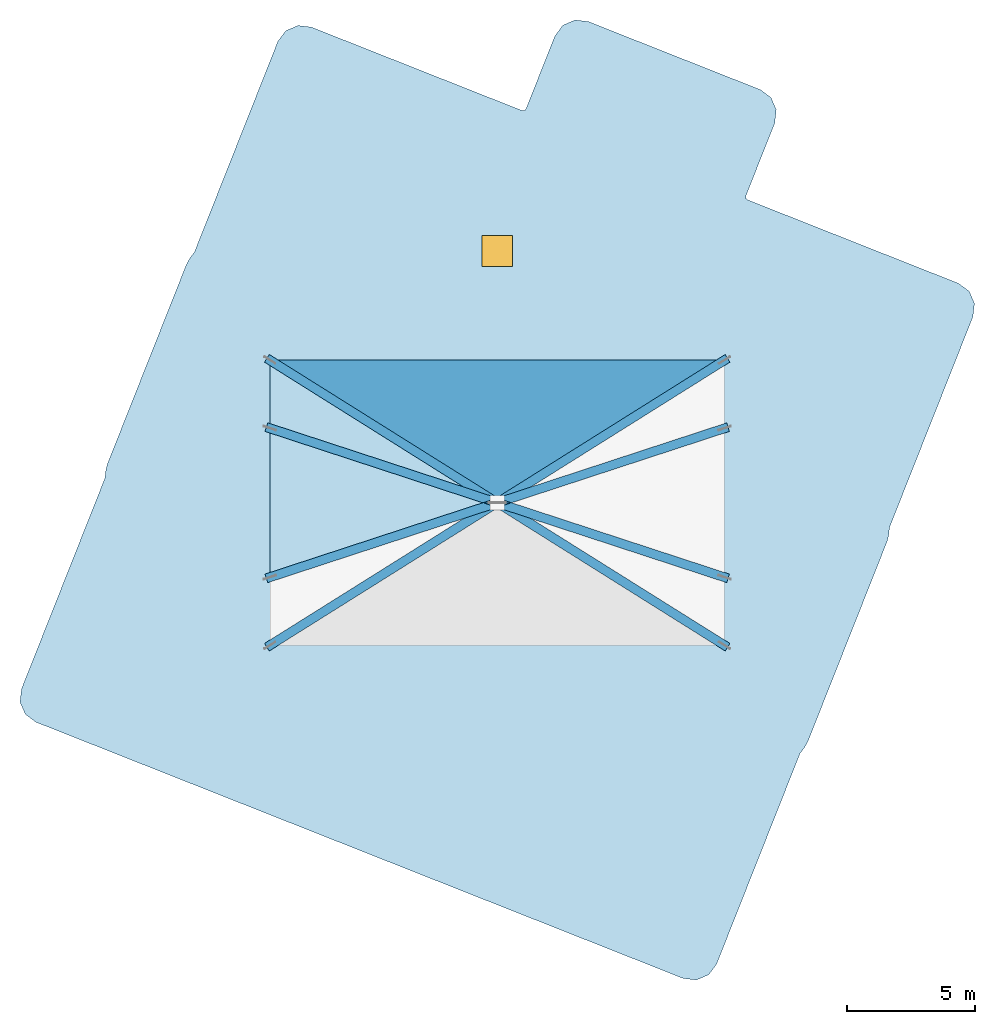
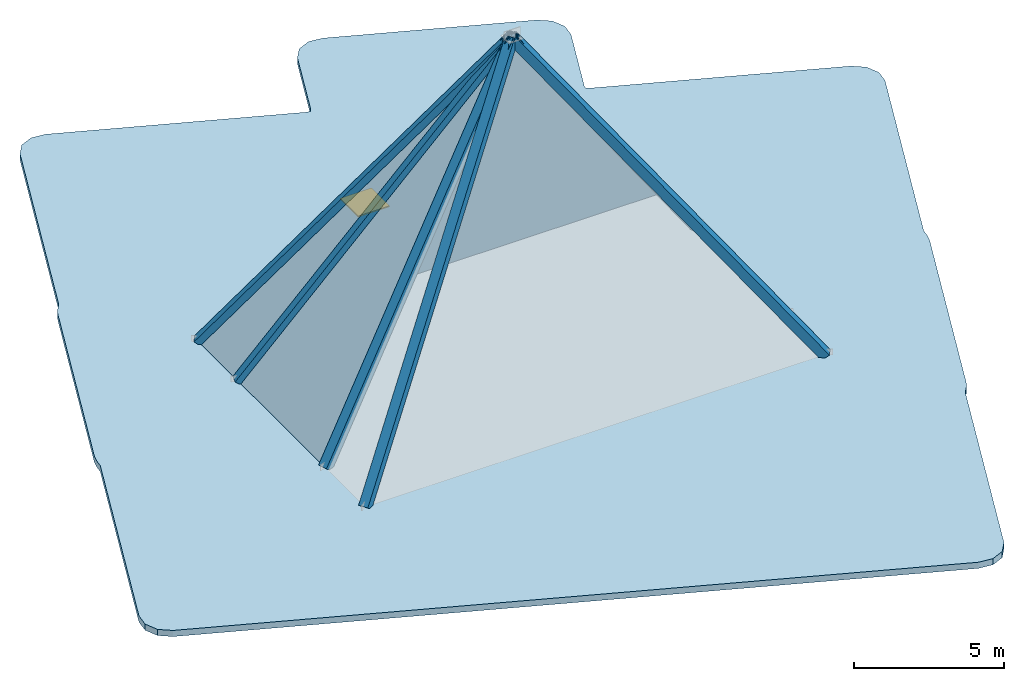
# One storey, part 1 of 2: 8 members, 4 slabs, 1 window, 1 opening.
"""IFC4 building model written with IfcOpenShell, lengths in metres."""

import ifcopenshell
import ifcopenshell.guid

model = None  # the IFC model being written
_history = None  # IfcOwnerHistory: only IFC2X3 demands one
_inside = {}  # id of a spatial element -> (the spatial element, [elements in it])
_under = {}  # id of a project, library or spatial element -> (it, [spatial elements below it])
_declared = {}  # id of a project -> (the project, [libraries it declares])
_typed = {}  # id of a type object -> (the type object, [elements of that type])
_made_of = {}  # id of a material, layer set ... -> (it, [elements and type objects made of it])


def new_model(schema):
    """Start an empty IFC model of exactly this schema.

    Asked for "IFC4X3", IfcOpenShell would pick the latest addendum, in which some entities
    have other attributes; the version numbers below select the first issue.
    IFC2X3 requires an IfcOwnerHistory on every rooted entity: one is made here for all.
    """
    global model, _history
    if schema == "IFC4X3":
        model = ifcopenshell.file(schema_version=(4, 3, 0, 0))
    else:
        model = ifcopenshell.file(schema=schema)
    _inside.clear()
    _under.clear()
    _declared.clear()
    _typed.clear()
    _made_of.clear()
    _history = None
    if model.schema == "IFC2X3":
        org = make("IfcOrganization", Name="unknown")
        user = make(
            "IfcPersonAndOrganization",
            ThePerson=make("IfcPerson", FamilyName="unknown"),
            TheOrganization=org,
        )
        app = make(
            "IfcApplication",
            ApplicationDeveloper=org,
            Version="unknown",
            ApplicationFullName="unknown",
            ApplicationIdentifier="unknown",
        )
        _history = make(
            "IfcOwnerHistory",
            OwningUser=user,
            OwningApplication=app,
            ChangeAction="ADDED",
            CreationDate=0,
        )
    return model


def make(cls, **values):
    """One entity of the class cls with the attributes given. An attribute that is None is left unset."""
    return model.create_entity(
        cls, **{name: value for name, value in values.items() if value is not None}
    )


def rooted(cls, **values):
    """An entity with a GlobalId (a new one), such as an element, a storey or a relation."""
    return make(cls, GlobalId=ifcopenshell.guid.new(), OwnerHistory=_history, **values)


def si_unit(unit_type, name, prefix=None):
    """IfcSIUnit, for example si_unit("LENGTHUNIT", "METRE", prefix="MILLI")."""
    return make("IfcSIUnit", UnitType=unit_type, Prefix=prefix, Name=name)


def assignment(units):
    """IfcUnitAssignment: the units of a project."""
    return None if units is None else make("IfcUnitAssignment", Units=units)


def point(xyz):
    """IfcCartesianPoint."""
    return None if xyz is None else make("IfcCartesianPoint", Coordinates=xyz)


def direction(xyz):
    """IfcDirection."""
    return None if xyz is None else make("IfcDirection", DirectionRatios=xyz)


def frame(location, z_axis=None, x_axis=None):
    """IfcAxis2Placement3D, a coordinate frame: its origin and axes. An axis left out is left unset."""
    return make(
        "IfcAxis2Placement3D",
        Location=point(location),
        Axis=direction(z_axis),
        RefDirection=direction(x_axis),
    )


def frame_2d(location, x_axis=None):
    """IfcAxis2Placement2D, a coordinate frame in the plane: its origin and x axis."""
    return make(
        "IfcAxis2Placement2D", Location=point(location), RefDirection=direction(x_axis)
    )


def origin():
    """The frame at (0, 0, 0) with its axes left unset."""
    return frame((0.0, 0.0, 0.0))


def origin_2d():
    """The frame at (0, 0) in the plane with its x axis left unset."""
    return frame_2d((0.0, 0.0))


def place(relative_to, where):
    """IfcLocalPlacement: puts the frame where relative to a parent placement (None: the world)."""
    return make(
        "IfcLocalPlacement", PlacementRelTo=relative_to, RelativePlacement=where
    )


def context(
    kind, dimensions, precision=None, world=None, true_north=None, identifier=None
):
    """IfcGeometricRepresentationContext, for example the 3D "Model" context."""
    return make(
        "IfcGeometricRepresentationContext",
        ContextIdentifier=identifier,
        ContextType=kind,
        CoordinateSpaceDimension=dimensions,
        Precision=precision,
        WorldCoordinateSystem=world,
        TrueNorth=true_north,
    )


def subcontext(parent, identifier, kind, view, scale=None):
    """IfcGeometricRepresentationSubContext, for example "Body" below "Model"."""
    return make(
        "IfcGeometricRepresentationSubContext",
        ContextIdentifier=identifier,
        ContextType=kind,
        ParentContext=parent,
        TargetScale=scale,
        TargetView=view,
    )


def project(units=None, contexts=None):
    """IfcProject with its units and contexts."""
    return rooted(
        "IfcProject",
        Name="project",
        RepresentationContexts=contexts,
        UnitsInContext=assignment(units),
    )


def spatial(cls, under=None, at=None, **own):
    """A site, building, storey or space (cls), placed at a placement, below another one or the project."""
    s = rooted(cls, ObjectPlacement=at, **own)
    if under is not None:
        _under.setdefault(under.id(), (under, []))[1].append(s)
    return s


def polyline(points):
    """IfcPolyline through the points."""
    return make("IfcPolyline", Points=[point(p) for p in points])


def profile(cls, at=None, kind="AREA", **sizes):
    """A parametric profile (cls). Its sizes go by their IFC names, for example OverallWidth=200.0."""
    return make(cls, ProfileType=kind, Position=at, **sizes)


def rectangle(**sizes):
    """IfcRectangleProfileDef."""
    return profile("IfcRectangleProfileDef", **sizes)


def hollow_rectangle(**sizes):
    """IfcRectangleHollowProfileDef."""
    return profile("IfcRectangleHollowProfileDef", **sizes)


def outline(outer, holes=None, kind="AREA"):
    """IfcArbitraryClosedProfileDef: a profile drawn as a closed curve; with holes, ...WithVoids."""
    if holes is None:
        return make("IfcArbitraryClosedProfileDef", ProfileType=kind, OuterCurve=outer)
    return make(
        "IfcArbitraryProfileDefWithVoids",
        ProfileType=kind,
        OuterCurve=outer,
        InnerCurves=holes,
    )


def extrude(swept, where, along, depth):
    """IfcExtrudedAreaSolid: the profile swept, set in the frame where, extruded along a direction by depth."""
    return make(
        "IfcExtrudedAreaSolid",
        SweptArea=swept,
        Position=where,
        ExtrudedDirection=direction(along),
        Depth=depth,
    )


def shape(context_of_items, identifier, shape_type, items):
    """IfcShapeRepresentation: the items that make up one representation, for example the "Body"."""
    return make(
        "IfcShapeRepresentation",
        ContextOfItems=context_of_items,
        RepresentationIdentifier=identifier,
        RepresentationType=shape_type,
        Items=items,
    )


def material(Name=None, Category=None):
    """IfcMaterial."""
    return make("IfcMaterial", Name=Name, Category=Category)


def layer(
    of_material, thickness, ventilated=None, Name=None, Category=None, Priority=None
):
    """IfcMaterialLayer: one layer of a wall or slab, of a material (None: an air gap)."""
    return make(
        "IfcMaterialLayer",
        Material=of_material,
        LayerThickness=thickness,
        IsVentilated=ventilated,
        Name=Name,
        Category=Category,
        Priority=Priority,
    )


def layer_set(layers, Name=None):
    """IfcMaterialLayerSet."""
    return make("IfcMaterialLayerSet", MaterialLayers=layers, LayerSetName=Name)


def material_profile(
    of_material, cross_section, Name=None, Category=None, Priority=None
):
    """IfcMaterialProfile: a cross section and its material."""
    return make(
        "IfcMaterialProfile",
        Name=Name,
        Material=of_material,
        Profile=cross_section,
        Priority=Priority,
        Category=Category,
    )


def profile_set(profiles, Name=None, composite=None):
    """IfcMaterialProfileSet."""
    return make(
        "IfcMaterialProfileSet",
        Name=Name,
        MaterialProfiles=profiles,
        CompositeProfile=composite,
    )


def made_of(thing, what):
    """Note that an element or type object is made of a material, layer set ...; save() writes the relation."""
    if what is not None:
        _made_of.setdefault(what.id(), (what, []))[1].append(thing)
    return thing


def type_object(cls, material=None, **own):
    """A type object (cls), such as IfcWallType, which elements share."""
    return made_of(rooted(cls, **own), material)


def element(
    cls,
    number,
    at=None,
    inside=None,
    cuts=None,
    type_object=None,
    material=None,
    context=None,
    identifier="Body",
    shape_type=None,
    held_by="IfcProductDefinitionShape",
    body=None,
    shapes=None,
    **own,
):
    """One element of the class cls, such as IfcWall. Its Tag is "e" and its number.

    at: its placement. inside: the storey or other place that contains it. cuts: it is an
    opening in that element (IfcRelVoidsElement). A single representation is given by context,
    identifier, shape_type and body (its items); several are given by shapes. held_by: the class
    of the entity that holds the representations. save() writes the other relations.
    """
    e = rooted(cls, Tag="e%d" % number, ObjectPlacement=at, **own)
    if body is not None:
        shapes = [shape(context, identifier, shape_type, body)]
    if shapes is not None:
        e.Representation = make(held_by, Representations=shapes)
    if inside is not None:
        _inside.setdefault(inside.id(), (inside, []))[1].append(e)
    if cuts is not None:
        rooted(
            "IfcRelVoidsElement", RelatingBuildingElement=cuts, RelatedOpeningElement=e
        )
    if type_object is not None:
        _typed.setdefault(type_object.id(), (type_object, []))[1].append(e)
    return made_of(e, material)


def fill(opening, filler):
    """IfcRelFillsElement: the door or window that sits in an opening."""
    return rooted(
        "IfcRelFillsElement",
        RelatingOpeningElement=opening,
        RelatedBuildingElement=filler,
    )


def aggregate(whole, parts):
    """IfcRelAggregates: a whole, such as a stair, and the parts it consists of."""
    return rooted("IfcRelAggregates", RelatingObject=whole, RelatedObjects=parts)


def save(model, path):
    """Write the relations noted so far, then the file.

    IfcRelAggregates (storeys below a building ...), IfcRelContainedInSpatialStructure (elements
    in a storey), IfcRelDefinesByType, IfcRelAssociatesMaterial and IfcRelDeclares: one each for
    every whole, place, type object, material and project.
    """
    for whole, parts in _under.values():
        aggregate(whole, parts)
    for where, things in _inside.values():
        rooted(
            "IfcRelContainedInSpatialStructure",
            RelatedElements=things,
            RelatingStructure=where,
        )
    for kind, things in _typed.values():
        rooted("IfcRelDefinesByType", RelatedObjects=things, RelatingType=kind)
    for what, things in _made_of.values():
        rooted("IfcRelAssociatesMaterial", RelatedObjects=things, RelatingMaterial=what)
    for by, libraries in _declared.values():
        rooted("IfcRelDeclares", RelatingContext=by, RelatedDefinitions=libraries)
    model.write(path)


model = new_model("IFC4")

# Units and contexts
model_context = context("Model", 3, precision=1e-05, world=origin(), true_north=direction((0.0, 1.0)))
body_context = subcontext(model_context, "Body", "Model", "MODEL_VIEW")
ifc_project = project(units=[si_unit("LENGTHUNIT", "METRE"), si_unit("AREAUNIT", "SQUARE_METRE"), si_unit("VOLUMEUNIT", "CUBIC_METRE"), si_unit("PLANEANGLEUNIT", "RADIAN"), si_unit("MASSUNIT", "GRAM", prefix="KILO")], contexts=[model_context])

# Site, building, storey
site_placement = place(None, origin())
site = spatial("IfcSite", under=ifc_project, at=site_placement, CompositionType="ELEMENT")
building_placement = place(site_placement, origin())
building = spatial("IfcBuilding", under=site, at=building_placement, Name="Solmarez Civic Tower", CompositionType="ELEMENT")
storey_placement = place(building_placement, frame((0.0, 0.0, 305.820068359375)))
storey = spatial("IfcBuildingStorey", under=building, at=storey_placement, Name="RF82", CompositionType="ELEMENT", Elevation=305.820068359375)

# Members
ifc_material_1 = material(Name="Steel S355", Category="steel")
ifc_material_profile = material_profile(ifc_material_1, hollow_rectangle(XDim=0.35009765625, YDim=0.35009765625, WallThickness=0.01611328125, at=origin_2d()), Name="HSS350X350X16")
ifc_profile_set = profile_set([ifc_material_profile], Name="Steel S355")
member_type = type_object("IfcMemberType", Name="MEM-BRC-HSS350", PredefinedType="BRACE", material=ifc_profile_set)
member_1_placement = place(storey_placement, frame((-8.85009765625, -2.89990234375, 0.0), z_axis=(0.56368842858, 0.184703204267, 0.805071476217), x_axis=(-0.311379151627, 0.950285759091, 0.0)))
element("IfcMember", 1, at=member_1_placement, inside=storey, type_object=member_type, Name="RF82 Faceted Crown Hip Rib 1", PredefinedType="BRACE", context=body_context, shape_type="SweptSolid", body=[
    extrude(hollow_rectangle(XDim=0.35009765625, YDim=0.35009765625, WallThickness=0.01611328125, at=origin_2d()), origin(), (0.0, 0.0, 1.0), 15.700439453125),
])
for number, where, z_axis, x_axis, name in (
    (2, (-8.85009765625, -5.550048828125, 0.0), (0.539706168768, 0.338459043713, 0.770819516569), (-0.531288184463, 0.847191162046, 0.0), "RF82 Faceted Crown Hip Rib 2"),
    (3, (8.85009765625, -5.550048828125, 0.0), (-0.539706168768, 0.338459043713, 0.770819516569), (-0.531288184463, -0.847191162046, 0.0), "RF82 Faceted Crown Hip Rib 3"),
):
    element("IfcMember", number, at=place(storey_placement, frame(where, z_axis=z_axis, x_axis=x_axis)), inside=storey, type_object=member_type, Name=name, PredefinedType="BRACE", context=body_context, shape_type="SweptSolid", body=[
        extrude(hollow_rectangle(XDim=0.35009765625, YDim=0.35009765625, WallThickness=0.01611328125, at=origin_2d()), origin(), (0.0, 0.0, 1.0), 16.39794921875),
    ])
for number, where, z_axis, x_axis, name in (
    (4, (8.85009765625, -2.89990234375, 0.0), (-0.56368842858, 0.184703204267, 0.805071476217), (-0.311379151627, -0.950285759091, 0.0), "RF82 Faceted Crown Hip Rib 4"),
    (5, (8.85009765625, 2.89990234375, 0.0), (-0.56368842858, -0.184703204267, 0.805071476217), (0.311379151627, -0.950285759091, 0.0), "RF82 Faceted Crown Hip Rib 5"),
):
    element("IfcMember", number, at=place(storey_placement, frame(where, z_axis=z_axis, x_axis=x_axis)), inside=storey, type_object=member_type, Name=name, PredefinedType="BRACE", context=body_context, shape_type="SweptSolid", body=[
        extrude(hollow_rectangle(XDim=0.35009765625, YDim=0.35009765625, WallThickness=0.01611328125, at=origin_2d()), origin(), (0.0, 0.0, 1.0), 15.700439453125),
    ])
for number, where, z_axis, x_axis, name in (
    (6, (8.85009765625, 5.550048828125, 0.0), (-0.539706168768, -0.338459043713, 0.770819516569), (0.531288184463, -0.847191162046, 0.0), "RF82 Faceted Crown Hip Rib 6"),
    (7, (-8.85009765625, 5.550048828125, 0.0), (0.539706168768, -0.338459043713, 0.770819516569), (0.531288184463, 0.847191162046, 0.0), "RF82 Faceted Crown Hip Rib 7"),
):
    element("IfcMember", number, at=place(storey_placement, frame(where, z_axis=z_axis, x_axis=x_axis)), inside=storey, type_object=member_type, Name=name, PredefinedType="BRACE", context=body_context, shape_type="SweptSolid", body=[
        extrude(hollow_rectangle(XDim=0.35009765625, YDim=0.35009765625, WallThickness=0.01611328125, at=origin_2d()), origin(), (0.0, 0.0, 1.0), 16.39794921875),
    ])
member_2_placement = place(storey_placement, frame((-8.85009765625, 2.89990234375, 0.0), z_axis=(0.56368842858, -0.184703204267, 0.805071476217), x_axis=(0.311379151627, 0.950285759091, 0.0)))
element("IfcMember", 8, at=member_2_placement, inside=storey, type_object=member_type, Name="RF82 Faceted Crown Hip Rib 8", PredefinedType="BRACE", context=body_context, shape_type="SweptSolid", body=[
    extrude(hollow_rectangle(XDim=0.35009765625, YDim=0.35009765625, WallThickness=0.01611328125, at=origin_2d()), origin(), (0.0, 0.0, 1.0), 15.700439453125),
])

# Slabs
ifc_material_2 = material(Name="Precast concrete C40/50", Category="concrete")
ifc_layer_1 = layer(ifc_material_2, 0.219970703125)
ifc_layer_set_1 = layer_set([ifc_layer_1], Name="Precast concrete C40/50")
slab_type_1 = type_object("IfcSlabType", Name="SLAB-ROOF-220", PredefinedType="ROOF", material=ifc_layer_set_1)
slab_1_placement = place(storey_placement, frame((8.85009765625, 5.550048828125, 0.0), z_axis=(0.0, 0.915621959652, 0.402040330071), x_axis=(-1.0, 0.0, 0.0)))
element("IfcSlab", 9, at=slab_1_placement, inside=storey, type_object=slab_type_1, Name="RF82 Glass-Point Sloped Roof Facet 6", PredefinedType="ROOF", context=body_context, shape_type="SweptSolid", body=[
    extrude(outline(polyline([(0.0, 0.0), (17.7001953125, 0.0), (8.85009765625, 13.804706674939208), (0.0, 0.0)])), origin(), (0.0, 0.0, -1.0), 0.219970703125),
])
slab_2_placement = place(storey_placement, frame((-8.85009765625, 5.550048828125, 0.0), z_axis=(-0.819165758915, 0.0, 0.573556849336), x_axis=(0.0, -1.0, 0.0)))
element("IfcSlab", 10, at=slab_2_placement, inside=storey, type_object=slab_type_1, Name="RF82 Glass-Point Sloped Roof Facet 7", PredefinedType="ROOF", context=body_context, shape_type="SweptSolid", body=[
    extrude(outline(polyline([(0.0, 0.0), (2.650146484375, 0.0), (5.550048828125, 15.430201324406013), (0.0, 0.0)])), origin(), (0.0, 0.0, -1.0), 0.219970703125),
])
slab_3_placement = place(storey_placement, frame((-8.85009765625, 2.89990234375, 0.0), z_axis=(-0.819165758915, 0.0, 0.573556849336), x_axis=(0.0, -1.0, 0.0)))
element("IfcSlab", 11, at=slab_3_placement, inside=storey, type_object=slab_type_1, Name="RF82 Glass-Point Sloped Roof Facet 8", PredefinedType="ROOF", context=body_context, shape_type="SweptSolid", body=[
    extrude(outline(polyline([(0.0, 0.0), (5.7998046875, 0.0), (2.89990234375, 15.430201324406017), (0.0, 0.0)])), origin(), (0.0, 0.0, -1.0), 0.219970703125),
])

# Slab, opening, window
ifc_material_3 = material(Name="Concrete C50/60", Category="concrete")
ifc_layer_2 = layer(ifc_material_3, 0.25)
ifc_layer_set_2 = layer_set([ifc_layer_2], Name="Concrete C50/60")
slab_type_2 = type_object("IfcSlabType", Name="SLAB-ROOF-250", PredefinedType="ROOF", material=ifc_layer_set_2)
slab_4_placement = place(storey_placement, frame((0.0, 0.0, -0.25)))
slab_4 = element("IfcSlab", 12, at=slab_4_placement, inside=storey, type_object=slab_type_2, Name="RF82 Structural Slab", PredefinedType="ROOF", context=body_context, shape_type="SweptSolid", body=[
    extrude(outline(polyline([(15.172119140625, -1.514892578125), (15.235107421875, -1.261962890625), (15.27099609375, -0.955078125), (18.51611328125, 7.241943359375), (18.575927734375, 7.756103515625), (18.3701171875, 8.23193359375), (17.955078125, 8.5400390625), (9.757080078125, 11.785888671875), (9.6708984375, 11.85009765625), (9.68408203125, 11.95703125), (10.802001953125, 14.781982421875), (10.861083984375, 15.2958984375), (10.656005859375, 15.77099609375), (10.239990234375, 16.0791015625), (3.5419921875, 18.73095703125), (3.028076171875, 18.791015625), (2.552978515625, 18.5849609375), (2.243896484375, 18.169921875), (1.1259765625, 15.344970703125), (1.06201171875, 15.258056640625), (0.955078125, 15.27099609375), (-7.241943359375, 18.51611328125), (-7.756103515625, 18.575927734375), (-8.23193359375, 18.3701171875), (-8.5400390625, 17.955078125), (-11.785888671875, 9.757080078125), (-11.969970703125, 9.510009765625), (-12.096923828125, 9.281005859375), (-15.172119140625, 1.514892578125), (-15.235107421875, 1.261962890625), (-15.27099609375, 0.955078125), (-18.51611328125, -7.241943359375), (-18.575927734375, -7.756103515625), (-18.3701171875, -8.23193359375), (-17.955078125, -8.5400390625), (7.241943359375, -18.51611328125), (7.756103515625, -18.575927734375), (8.23193359375, -18.3701171875), (8.5400390625, -17.955078125), (11.785888671875, -9.757080078125), (11.969970703125, -9.510009765625), (12.096923828125, -9.281005859375), (15.172119140625, -1.514892578125)])), origin(), (0.0, 0.0, 1.0), 0.25),
])
opening_placement = place(slab_4_placement, frame((0.0, 9.800048828125, 0.0)))
opening = element("IfcOpeningElement", 13, at=opening_placement, cuts=slab_4, Name="Opening SK-01", PredefinedType="OPENING", context=body_context, shape_type="SweptSolid", body=[
    extrude(rectangle(XDim=1.199951171875, YDim=1.199951171875, at=origin_2d()), frame((0.0, 0.0, -0.010009765625)), (0.0, 0.0, 1.0), 0.27001953125),
])
ifc_material_4 = material(Name="Solar Control Bronze-Tinted Insulating Glass", Category="glass")
window_type = type_object("IfcWindowType", Name="SKY-1200X1200", PartitioningType="SINGLE_PANEL", PredefinedType="SKYLIGHT", material=ifc_material_4)
window_placement = place(opening_placement, frame((0.0, 0.0, 0.199951171875)))
window = element("IfcWindow", 14, at=window_placement, inside=storey, type_object=window_type, Name="RF82 Crown Access Skylight Hatch", OverallHeight=1.199951171875, OverallWidth=1.199951171875, PartitioningType="SINGLE_PANEL", PredefinedType="SKYLIGHT", context=body_context, shape_type="SweptSolid", body=[
    extrude(rectangle(XDim=1.199951171875, YDim=1.199951171875, at=origin_2d()), origin(), (0.0, 0.0, 1.0), 0.050048828125),
])
fill(opening, window)

save(model, "model.ifc")
